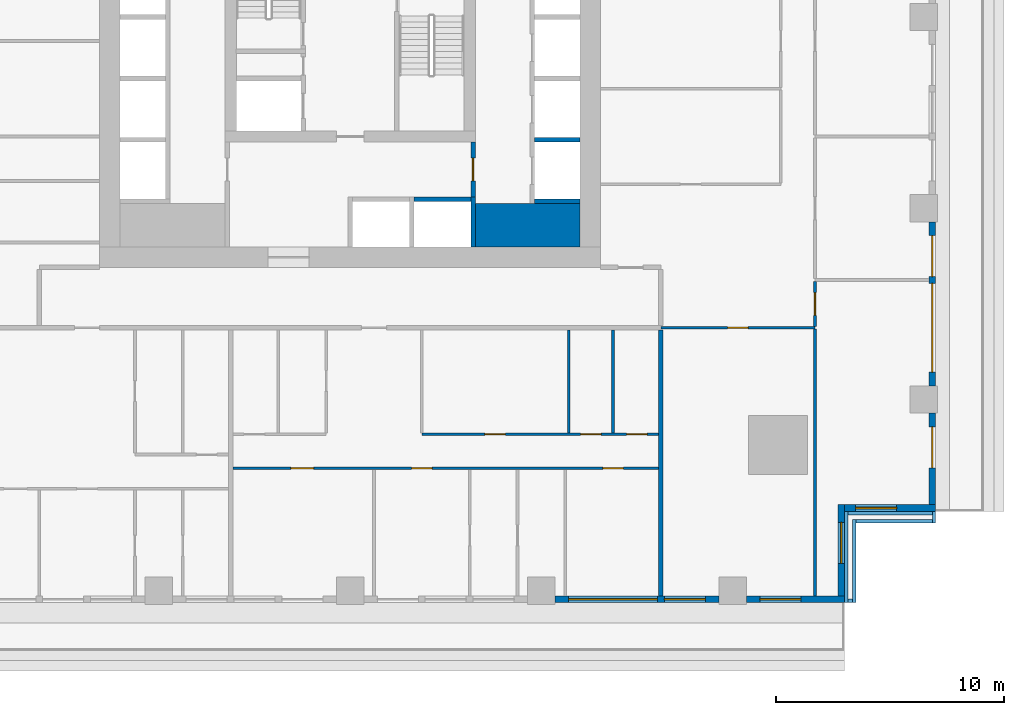
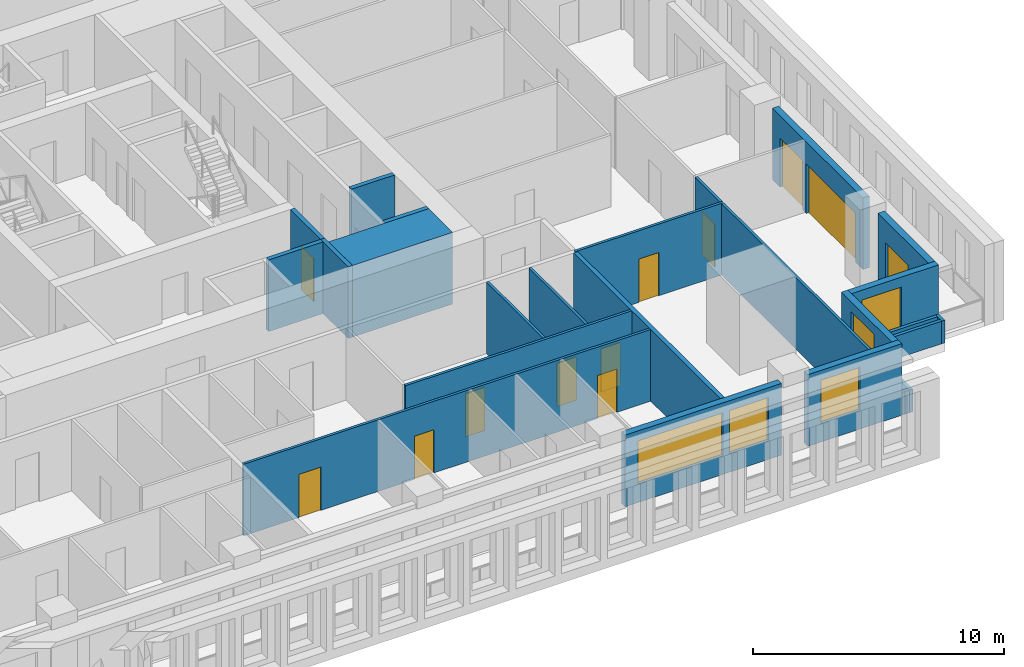
# One storey, part 5 of 16: 26 walls, 12 doors, 5 windows, 17 openings.
"""IFC4 building model written with IfcOpenShell, lengths in metres."""

from ifc_helpers import new_model, si_unit, direction, frame, frame_2d, origin, place, context, subcontext, project, spatial, rectangle, extrude, material, layer, layer_set, type_object, element, fill, save


model = new_model("IFC4")

# Units and contexts
model_context = context("Model", 3, precision=1e-05, world=origin(), true_north=direction((0.0, 1.0)))
body_context = subcontext(model_context, "Body", "Model", "MODEL_VIEW")
ifc_project = project(units=[si_unit("LENGTHUNIT", "METRE"), si_unit("AREAUNIT", "SQUARE_METRE"), si_unit("VOLUMEUNIT", "CUBIC_METRE"), si_unit("PLANEANGLEUNIT", "RADIAN"), si_unit("MASSUNIT", "GRAM", prefix="KILO")], contexts=[model_context])

# Site, building, storey
site_placement = place(None, origin())
site = spatial("IfcSite", under=ifc_project, at=site_placement, CompositionType="ELEMENT")
building_placement = place(site_placement, origin())
building = spatial("IfcBuilding", under=site, at=building_placement, Name="Khepri Terraces", CompositionType="ELEMENT")
storey_placement = place(building_placement, frame((0.0, 0.0, 133.800048828125)))
storey = spatial("IfcBuildingStorey", under=building, at=storey_placement, Name="L31", CompositionType="ELEMENT", Elevation=133.800048828125)

# Walls
ifc_material_1 = material(Name="Concrete C60/75", Category="concrete")
ifc_layer_1 = layer(ifc_material_1, 1.89990234375, Name="Concrete C60/75", Category="concrete")
ifc_layer_set_1 = layer_set([ifc_layer_1], Name="Concrete C60/75")
wall_type_1 = type_object("IfcWallType", Name="Core wall 1900 C60/75", PredefinedType="SHEAR", material=ifc_layer_set_1)
wall_1_placement = place(storey_placement, frame((5.5, -9.14990234375, 0.0), z_axis=(0.0, 0.0, 1.0), x_axis=(1.0, 0.0, 0.0)))
element("IfcWall", 1, at=wall_1_placement, inside=storey, type_object=wall_type_1, Name="Core wall PR02 L31", PredefinedType="SHEAR", context=body_context, shape_type="SweptSolid", body=[
    extrude(rectangle(XDim=4.60009765625, YDim=1.89990234375, at=frame_2d((2.300048828125, 0.0))), origin(), (0.0, 0.0, 1.0), 3.47998046875),
])
ifc_layer_2 = layer(ifc_material_1, 0.199951171875, Name="Concrete C60/75", Category="concrete")
ifc_layer_set_2 = layer_set([ifc_layer_2], Name="Concrete C60/75")
wall_type_2 = type_object("IfcWallType", Name="Core wall 200 C60/75", PredefinedType="SHEAR", material=ifc_layer_set_2)
wall_2_placement = place(storey_placement, frame((5.39990234375, -10.10009765625, 0.0), z_axis=(0.0, 0.0, 1.0), x_axis=(0.0, 1.0, 0.0)))
element("IfcWall", 2, at=wall_2_placement, inside=storey, type_object=wall_type_2, Name="Core wall SH03 L31", PredefinedType="SHEAR", context=body_context, shape_type="SweptSolid", body=[
    extrude(rectangle(XDim=2.2001953125, YDim=0.199951171875, at=frame_2d((1.10009765625, 0.0))), origin(), (0.0, 0.0, 1.0), 3.47998046875),
])
wall_3_placement = place(storey_placement, frame((8.10009765625, -8.10009765625, 0.0), z_axis=(0.0, 0.0, 1.0), x_axis=(1.0, 0.0, 0.0)))
element("IfcWall", 3, at=wall_3_placement, inside=storey, type_object=wall_type_2, Name="Core wall SH06 L31", PredefinedType="SHEAR", context=body_context, shape_type="SweptSolid", body=[
    extrude(rectangle(XDim=2.0, YDim=0.199951171875, at=frame_2d((1.0, 0.0))), origin(), (0.0, 0.0, 1.0), 3.47998046875),
])
wall_4_placement = place(storey_placement, frame((2.800048828125, -8.0, 0.0), z_axis=(0.0, 0.0, 1.0), x_axis=(1.0, 0.0, 0.0)))
element("IfcWall", 4, at=wall_4_placement, inside=storey, type_object=wall_type_2, Name="Core wall SH08 L31", PredefinedType="SHEAR", context=body_context, shape_type="SweptSolid", body=[
    extrude(rectangle(XDim=2.5, YDim=0.199951171875, at=frame_2d((1.25, 0.0))), origin(), (0.0, 0.0, 1.0), 3.47998046875),
])
wall_5_placement = place(storey_placement, frame((8.10009765625, -5.39990234375, 0.0), z_axis=(0.0, 0.0, 1.0), x_axis=(1.0, 0.0, 0.0)))
element("IfcWall", 5, at=wall_5_placement, inside=storey, type_object=wall_type_2, Name="Core wall SH11 L31", PredefinedType="SHEAR", context=body_context, shape_type="SweptSolid", body=[
    extrude(rectangle(XDim=2.0, YDim=0.199951171875, at=frame_2d((1.0, 0.0))), origin(), (0.0, 0.0, 1.0), 3.47998046875),
])

# Wall, opening, door
ifc_material_2 = material(Name="Fire-rated gypsum board partition")
ifc_layer_3 = layer(ifc_material_2, 0.199951171875, Name="Fire-rated gypsum board partition")
ifc_layer_set_3 = layer_set([ifc_layer_3], Name="Fire-rated gypsum board partition")
wall_type_3 = type_object("IfcWallType", Name="WL-CORE-PART-200", PredefinedType="PARTITIONING", material=ifc_layer_set_3)
wall_6_placement = place(storey_placement, frame((5.39990234375, -7.89990234375, 0.0), z_axis=(0.0, 0.0, 1.0), x_axis=(0.0, 1.0, 0.0)))
wall_6 = element("IfcWall", 6, at=wall_6_placement, inside=storey, type_object=wall_type_3, Name="Core partition PT02 L31", PredefinedType="PARTITIONING", context=body_context, shape_type="SweptSolid", body=[
    extrude(rectangle(XDim=2.39990234375, YDim=0.199951171875, at=frame_2d((1.199951171875, 0.0))), origin(), (0.0, 0.0, 1.0), 3.47998046875),
])
opening_1_placement = place(wall_6_placement, frame((0.699951171875, 0.0, 0.0)))
opening_1 = element("IfcOpeningElement", 7, at=opening_1_placement, cuts=wall_6, Name="Opening L31-C19", PredefinedType="OPENING", context=body_context, shape_type="SweptSolid", body=[
    extrude(rectangle(XDim=1.0, YDim=2.10009765625, at=frame_2d((0.5, 1.050048828125))), frame((0.0, 0.10986328125, 0.0), z_axis=(0.0, -1.0, 0.0), x_axis=(1.0, 0.0, 0.0)), (0.0, 0.0, 1.0), 0.219970703125),
])
ifc_material_3 = material(Name="Painted steel", Category="steel")
door_type_1 = type_object("IfcDoorType", Name="DR-CORE-LOBBY-1000", OperationType="NOTDEFINED", PredefinedType="DOOR", material=ifc_material_3)
door_1_placement = place(opening_1_placement, origin())
door_1 = element("IfcDoor", 8, at=door_1_placement, inside=storey, type_object=door_type_1, Name="Lobby door L31-C19", OperationType="SINGLE_SWING_RIGHT", OverallHeight=2.10009765625, OverallWidth=1.0, PredefinedType="DOOR", context=body_context, shape_type="SweptSolid", body=[
    extrude(rectangle(XDim=1.0, YDim=2.10009765625, at=frame_2d((0.5, 1.050048828125))), frame((0.0, 0.02490234375, 0.0), z_axis=(0.0, -1.0, 0.0), x_axis=(1.0, 0.0, 0.0)), (0.0, 0.0, 1.0), 0.050048828125),
])
fill(opening_1, door_1)

# Wall
ifc_material_4 = material(Name="Fire-rated gypsum plasterboard partition, mineral wool")
ifc_layer_4 = layer(ifc_material_4, 0.199951171875, Name="Fire-rated gypsum plasterboard partition, mineral wool")
ifc_layer_set_4 = layer_set([ifc_layer_4], Name="Fire-rated gypsum plasterboard partition, mineral wool")
wall_type_4 = type_object("IfcWallType", Name="WL-CORR-200", PredefinedType="PARTITIONING", material=ifc_layer_set_4)
wall_7_placement = place(storey_placement, frame((13.64990234375, -25.419921875, 0.0), z_axis=(0.0, 0.0, 1.0), x_axis=(0.0, 1.0, 0.0)))
element("IfcWall", 9, at=wall_7_placement, inside=storey, type_object=wall_type_4, Name="Partition P-009 L31", PredefinedType="PARTITIONING", context=body_context, shape_type="SweptSolid", body=[
    extrude(rectangle(XDim=11.669921875, YDim=0.199951171875, at=frame_2d((5.8349609375, 0.0))), origin(), (0.0, 0.0, 1.0), 3.47998046875),
])

# Wall, opening, window
ifc_material_5 = material(Name="Precast concrete C50/60 warm stone", Category="masonry")
ifc_layer_5 = layer(ifc_material_5, 0.300048828125, Name="Precast concrete C50/60 warm stone", Category="masonry")
ifc_layer_set_5 = layer_set([ifc_layer_5], Name="Precast concrete C50/60 warm stone")
wall_type_5 = type_object("IfcWallType", Name="WL-EXT-PRECAST-300", PredefinedType="STANDARD", material=ifc_layer_set_5)
wall_8_placement = place(storey_placement, frame((21.719970703125, -21.570068359375, 0.0), z_axis=(0.0, 0.0, 1.0), x_axis=(1.0, 0.0, 0.0)))
wall_8 = element("IfcWall", 10, at=wall_8_placement, inside=storey, type_object=wall_type_5, Name="External wall L31 S", PredefinedType="STANDARD", context=body_context, shape_type="SweptSolid", body=[
    extrude(rectangle(XDim=4.0, YDim=0.300048828125, at=frame_2d((2.0, 0.0))), origin(), (0.0, 0.0, 1.0), 3.47998046875),
])
opening_2_placement = place(wall_8_placement, frame((0.47998046875, 0.0, 0.89990234375)))
opening_2 = element("IfcOpeningElement", 11, at=opening_2_placement, cuts=wall_8, Name="Opening W1", PredefinedType="OPENING", context=body_context, shape_type="SweptSolid", body=[
    extrude(rectangle(XDim=1.800048828125, YDim=2.10009765625, at=frame_2d((0.89990234375, 1.050048828125))), frame((0.0, 0.16015625, 0.0), z_axis=(0.0, -1.0, 0.0), x_axis=(1.0, 0.0, 0.0)), (0.0, 0.0, 1.0), 0.320068359375),
])
ifc_material_6 = material(Name="Clear glass", Category="glass")
window_type_1 = type_object("IfcWindowType", Name="WIN-RES-1800x2100", PartitioningType="SINGLE_PANEL", PredefinedType="WINDOW", material=ifc_material_6)
window_1_placement = place(opening_2_placement, origin())
window_1 = element("IfcWindow", 12, at=window_1_placement, inside=storey, type_object=window_type_1, Name="Window L31 S", OverallHeight=2.10009765625, OverallWidth=1.800048828125, PartitioningType="SINGLE_PANEL", PredefinedType="WINDOW", context=body_context, shape_type="SweptSolid", body=[
    extrude(rectangle(XDim=1.800048828125, YDim=2.10009765625, at=frame_2d((0.89990234375, 1.050048828125))), frame((0.0, 0.030029296875, 0.0), z_axis=(0.0, -1.0, 0.0), x_axis=(1.0, 0.0, 0.0)), (0.0, 0.0, 1.0), 0.06005859375),
])
fill(opening_2, window_1)

# Wall, opening, door
wall_9_placement = place(storey_placement, frame((25.570068359375, -21.419921875, 0.0), z_axis=(0.0, 0.0, 1.0), x_axis=(0.0, 1.0, 0.0)))
wall_9 = element("IfcWall", 13, at=wall_9_placement, inside=storey, type_object=wall_type_5, Name="External wall L31 E", PredefinedType="STANDARD", context=body_context, shape_type="SweptSolid", body=[
    extrude(rectangle(XDim=4.02001953125, YDim=0.300048828125, at=frame_2d((2.010009765625, 0.0))), origin(), (0.0, 0.0, 1.0), 3.47998046875),
])
opening_3_placement = place(wall_9_placement, frame((1.6201171875, 0.0, 0.0)))
opening_3 = element("IfcOpeningElement", 14, at=opening_3_placement, cuts=wall_9, Name="Opening ED-L31-01", PredefinedType="OPENING", context=body_context, shape_type="SweptSolid", body=[
    extrude(rectangle(XDim=1.800048828125, YDim=2.39990234375, at=frame_2d((0.89990234375, 1.199951171875))), frame((0.0, 0.16015625, 0.0), z_axis=(0.0, -1.0, 0.0), x_axis=(1.0, 0.0, 0.0)), (0.0, 0.0, 1.0), 0.320068359375),
])
ifc_material_7 = material(Name="Anodised aluminium bronze glazed door", Category="aluminium")
door_type_2 = type_object("IfcDoorType", Name="DR-BAL-SLIDE-1800x2400", OperationType="NOTDEFINED", PredefinedType="DOOR", material=ifc_material_7)
door_2_placement = place(opening_3_placement, origin())
door_2 = element("IfcDoor", 15, at=door_2_placement, inside=storey, type_object=door_type_2, Name="Balcony door L31 E", OperationType="SLIDING_TO_RIGHT", OverallHeight=2.39990234375, OverallWidth=1.800048828125, PredefinedType="DOOR", context=body_context, shape_type="SweptSolid", body=[
    extrude(rectangle(XDim=1.800048828125, YDim=2.39990234375, at=frame_2d((0.89990234375, 1.199951171875))), frame((0.0, 0.02490234375, 0.0), z_axis=(0.0, -1.0, 0.0), x_axis=(1.0, 0.0, 0.0)), (0.0, 0.0, 1.0), 0.050048828125),
])
fill(opening_3, door_2)

# Wall, openings, doors
wall_10_placement = place(storey_placement, frame((25.570068359375, -16.199951171875, 0.0), z_axis=(0.0, 0.0, 1.0), x_axis=(0.0, 1.0, 0.0)))
wall_10 = element("IfcWall", 16, at=wall_10_placement, inside=storey, type_object=wall_type_5, Name="External wall L31 E", PredefinedType="STANDARD", context=body_context, shape_type="SweptSolid", body=[
    extrude(rectangle(XDim=7.199951171875, YDim=0.300048828125, at=frame_2d((3.60009765625, 0.0))), origin(), (0.0, 0.0, 1.0), 3.47998046875),
])
opening_4_placement = place(wall_10_placement, frame((0.60009765625, 0.0, 0.0)))
opening_4 = element("IfcOpeningElement", 17, at=opening_4_placement, cuts=wall_10, Name="Opening ED-L31-02", PredefinedType="OPENING", context=body_context, shape_type="SweptSolid", body=[
    extrude(rectangle(XDim=3.89990234375, YDim=2.39990234375, at=frame_2d((1.949951171875, 1.199951171875))), frame((0.0, 0.16015625, 0.0), z_axis=(0.0, -1.0, 0.0), x_axis=(1.0, 0.0, 0.0)), (0.0, 0.0, 1.0), 0.320068359375),
])
opening_5_placement = place(wall_10_placement, frame((4.800048828125, 0.0, 0.0)))
opening_5 = element("IfcOpeningElement", 18, at=opening_5_placement, cuts=wall_10, Name="Opening ED-L31-03", PredefinedType="OPENING", context=body_context, shape_type="SweptSolid", body=[
    extrude(rectangle(XDim=1.800048828125, YDim=2.39990234375, at=frame_2d((0.89990234375, 1.199951171875))), frame((0.0, 0.16015625, 0.0), z_axis=(0.0, -1.0, 0.0), x_axis=(1.0, 0.0, 0.0)), (0.0, 0.0, 1.0), 0.320068359375),
])
door_3_placement = place(opening_5_placement, origin())
door_3 = element("IfcDoor", 19, at=door_3_placement, inside=storey, type_object=door_type_2, Name="Balcony door L31 E", OperationType="SLIDING_TO_RIGHT", OverallHeight=2.39990234375, OverallWidth=1.800048828125, PredefinedType="DOOR", context=body_context, shape_type="SweptSolid", body=[
    extrude(rectangle(XDim=1.800048828125, YDim=2.39990234375, at=frame_2d((0.89990234375, 1.199951171875))), frame((0.0, 0.02490234375, 0.0), z_axis=(0.0, -1.0, 0.0), x_axis=(1.0, 0.0, 0.0)), (0.0, 0.0, 1.0), 0.050048828125),
])
fill(opening_5, door_3)
door_type_3 = type_object("IfcDoorType", Name="DR-BAL-SLIDE-3900x2400", OperationType="NOTDEFINED", PredefinedType="DOOR", material=ifc_material_7)
door_4_placement = place(opening_4_placement, origin())
door_4 = element("IfcDoor", 20, at=door_4_placement, inside=storey, type_object=door_type_3, Name="Balcony door L31 E", OperationType="SLIDING_TO_LEFT", OverallHeight=2.39990234375, OverallWidth=3.89990234375, PredefinedType="DOOR", context=body_context, shape_type="SweptSolid", body=[
    extrude(rectangle(XDim=3.89990234375, YDim=2.39990234375, at=frame_2d((1.949951171875, 1.199951171875))), frame((0.0, 0.02490234375, 0.0), z_axis=(0.0, -1.0, 0.0), x_axis=(1.0, 0.0, 0.0)), (0.0, 0.0, 1.0), 0.050048828125),
])
fill(opening_4, door_4)

# Wall, openings, windows
wall_11_placement = place(storey_placement, frame((9.0, -25.570068359375, 0.0), z_axis=(0.0, 0.0, 1.0), x_axis=(1.0, 0.0, 0.0)))
wall_11 = element("IfcWall", 21, at=wall_11_placement, inside=storey, type_object=wall_type_5, Name="External wall L31 S", PredefinedType="STANDARD", context=body_context, shape_type="SweptSolid", body=[
    extrude(rectangle(XDim=7.199951171875, YDim=0.300048828125, at=frame_2d((3.60009765625, 0.0))), origin(), (0.0, 0.0, 1.0), 3.47998046875),
])
opening_6_placement = place(wall_11_placement, frame((0.60009765625, 0.0, 0.89990234375)))
opening_6 = element("IfcOpeningElement", 22, at=opening_6_placement, cuts=wall_11, Name="Opening W2", PredefinedType="OPENING", context=body_context, shape_type="SweptSolid", body=[
    extrude(rectangle(XDim=3.89990234375, YDim=2.10009765625, at=frame_2d((1.949951171875, 1.050048828125))), frame((0.0, 0.16015625, 0.0), z_axis=(0.0, -1.0, 0.0), x_axis=(1.0, 0.0, 0.0)), (0.0, 0.0, 1.0), 0.320068359375),
])
opening_7_placement = place(wall_11_placement, frame((4.800048828125, 0.0, 0.89990234375)))
opening_7 = element("IfcOpeningElement", 23, at=opening_7_placement, cuts=wall_11, Name="Opening W1", PredefinedType="OPENING", context=body_context, shape_type="SweptSolid", body=[
    extrude(rectangle(XDim=1.800048828125, YDim=2.10009765625, at=frame_2d((0.89990234375, 1.050048828125))), frame((0.0, 0.16015625, 0.0), z_axis=(0.0, -1.0, 0.0), x_axis=(1.0, 0.0, 0.0)), (0.0, 0.0, 1.0), 0.320068359375),
])
window_2_placement = place(opening_7_placement, origin())
window_2 = element("IfcWindow", 24, at=window_2_placement, inside=storey, type_object=window_type_1, Name="Window L31 S", OverallHeight=2.10009765625, OverallWidth=1.800048828125, PartitioningType="SINGLE_PANEL", PredefinedType="WINDOW", context=body_context, shape_type="SweptSolid", body=[
    extrude(rectangle(XDim=1.800048828125, YDim=2.10009765625, at=frame_2d((0.89990234375, 1.050048828125))), frame((0.0, 0.030029296875, 0.0), z_axis=(0.0, -1.0, 0.0), x_axis=(1.0, 0.0, 0.0)), (0.0, 0.0, 1.0), 0.06005859375),
])
fill(opening_7, window_2)
window_type_2 = type_object("IfcWindowType", Name="WIN-RES-3900x2100", PartitioningType="SINGLE_PANEL", PredefinedType="WINDOW", material=ifc_material_6)
window_3_placement = place(opening_6_placement, origin())
window_3 = element("IfcWindow", 25, at=window_3_placement, inside=storey, type_object=window_type_2, Name="Window L31 S", OverallHeight=2.10009765625, OverallWidth=3.89990234375, PartitioningType="SINGLE_PANEL", PredefinedType="WINDOW", context=body_context, shape_type="SweptSolid", body=[
    extrude(rectangle(XDim=3.89990234375, YDim=2.10009765625, at=frame_2d((1.949951171875, 1.050048828125))), frame((0.0, 0.030029296875, 0.0), z_axis=(0.0, -1.0, 0.0), x_axis=(1.0, 0.0, 0.0)), (0.0, 0.0, 1.0), 0.06005859375),
])
fill(opening_6, window_3)

# Wall, opening, window
wall_12_placement = place(storey_placement, frame((17.39990234375, -25.570068359375, 0.0), z_axis=(0.0, 0.0, 1.0), x_axis=(1.0, 0.0, 0.0)))
wall_12 = element("IfcWall", 26, at=wall_12_placement, inside=storey, type_object=wall_type_5, Name="External wall L31 S", PredefinedType="STANDARD", context=body_context, shape_type="SweptSolid", body=[
    extrude(rectangle(XDim=4.320068359375, YDim=0.300048828125, at=frame_2d((2.16015625, 0.0))), origin(), (0.0, 0.0, 1.0), 3.47998046875),
])
opening_8_placement = place(wall_12_placement, frame((0.60009765625, 0.0, 0.89990234375)))
opening_8 = element("IfcOpeningElement", 27, at=opening_8_placement, cuts=wall_12, Name="Opening W1", PredefinedType="OPENING", context=body_context, shape_type="SweptSolid", body=[
    extrude(rectangle(XDim=1.800048828125, YDim=2.10009765625, at=frame_2d((0.89990234375, 1.050048828125))), frame((0.0, 0.16015625, 0.0), z_axis=(0.0, -1.0, 0.0), x_axis=(1.0, 0.0, 0.0)), (0.0, 0.0, 1.0), 0.320068359375),
])
window_4_placement = place(opening_8_placement, origin())
window_4 = element("IfcWindow", 28, at=window_4_placement, inside=storey, type_object=window_type_1, Name="Window L31 S", OverallHeight=2.10009765625, OverallWidth=1.800048828125, PartitioningType="SINGLE_PANEL", PredefinedType="WINDOW", context=body_context, shape_type="SweptSolid", body=[
    extrude(rectangle(XDim=1.800048828125, YDim=2.10009765625, at=frame_2d((0.89990234375, 1.050048828125))), frame((0.0, 0.030029296875, 0.0), z_axis=(0.0, -1.0, 0.0), x_axis=(1.0, 0.0, 0.0)), (0.0, 0.0, 1.0), 0.06005859375),
])
fill(opening_8, window_4)

wall_13_placement = place(storey_placement, frame((21.570068359375, -25.419921875, 0.0), z_axis=(0.0, 0.0, 1.0), x_axis=(0.0, 1.0, 0.0)))
wall_13 = element("IfcWall", 29, at=wall_13_placement, inside=storey, type_object=wall_type_5, Name="External wall L31 E", PredefinedType="STANDARD", context=body_context, shape_type="SweptSolid", body=[
    extrude(rectangle(XDim=4.0, YDim=0.300048828125, at=frame_2d((2.0, 0.0))), origin(), (0.0, 0.0, 1.0), 3.47998046875),
])
opening_9_placement = place(wall_13_placement, frame((1.419921875, 0.0, 0.89990234375)))
opening_9 = element("IfcOpeningElement", 30, at=opening_9_placement, cuts=wall_13, Name="Opening W1", PredefinedType="OPENING", context=body_context, shape_type="SweptSolid", body=[
    extrude(rectangle(XDim=1.800048828125, YDim=2.10009765625, at=frame_2d((0.89990234375, 1.050048828125))), frame((0.0, 0.16015625, 0.0), z_axis=(0.0, -1.0, 0.0), x_axis=(1.0, 0.0, 0.0)), (0.0, 0.0, 1.0), 0.320068359375),
])
window_5_placement = place(opening_9_placement, origin())
window_5 = element("IfcWindow", 31, at=window_5_placement, inside=storey, type_object=window_type_1, Name="Window L31 E", OverallHeight=2.10009765625, OverallWidth=1.800048828125, PartitioningType="SINGLE_PANEL", PredefinedType="WINDOW", context=body_context, shape_type="SweptSolid", body=[
    extrude(rectangle(XDim=1.800048828125, YDim=2.10009765625, at=frame_2d((0.89990234375, 1.050048828125))), frame((0.0, 0.030029296875, 0.0), z_axis=(0.0, -1.0, 0.0), x_axis=(1.0, 0.0, 0.0)), (0.0, 0.0, 1.0), 0.06005859375),
])
fill(opening_9, window_5)

# Walls
ifc_layer_6 = layer(ifc_material_5, 0.14990234375, Name="Precast concrete C50/60 warm stone", Category="masonry")
ifc_layer_set_6 = layer_set([ifc_layer_6], Name="Precast concrete C50/60 warm stone")
wall_type_6 = type_object("IfcWallType", Name="WL-PARAPET-150", PredefinedType="PARAPET", material=ifc_layer_set_6)
wall_14_placement = place(storey_placement, frame((21.794921875, -25.719970703125, 0.0), z_axis=(0.0, 0.0, 1.0), x_axis=(0.0, 1.0, 0.0)))
element("IfcWall", 32, at=wall_14_placement, inside=storey, type_object=wall_type_6, Name="Ledge parapet L31", PredefinedType="PARAPET", context=body_context, shape_type="SweptSolid", body=[
    extrude(rectangle(XDim=4.0, YDim=0.14990234375, at=frame_2d((2.0, 0.0))), origin(), (0.0, 0.0, 1.0), 1.099853515625),
])
wall_15_placement = place(storey_placement, frame((21.8701171875, -25.64501953125, 0.0), z_axis=(0.0, 0.0, 1.0), x_axis=(1.0, 0.0, 0.0)))
element("IfcWall", 33, at=wall_15_placement, inside=storey, type_object=wall_type_6, Name="Ledge parapet L31", PredefinedType="PARAPET", context=body_context, shape_type="SweptSolid", body=[
    extrude(rectangle(XDim=0.199951171875, YDim=0.14990234375, at=frame_2d((0.10009765625, 0.0))), origin(), (0.0, 0.0, 1.0), 1.099853515625),
])
wall_16_placement = place(storey_placement, frame((21.8701171875, -21.794921875, 0.0), z_axis=(0.0, 0.0, 1.0), x_axis=(1.0, 0.0, 0.0)))
element("IfcWall", 34, at=wall_16_placement, inside=storey, type_object=wall_type_6, Name="Ledge parapet L31", PredefinedType="PARAPET", context=body_context, shape_type="SweptSolid", body=[
    extrude(rectangle(XDim=3.699951171875, YDim=0.14990234375, at=frame_2d((1.85009765625, 0.0))), origin(), (0.0, 0.0, 1.0), 1.099853515625),
])
wall_17_placement = place(storey_placement, frame((22.14501953125, -25.719970703125, 0.0), z_axis=(0.0, 0.0, 1.0), x_axis=(0.0, 1.0, 0.0)))
element("IfcWall", 35, at=wall_17_placement, inside=storey, type_object=wall_type_6, Name="Ledge parapet L31", PredefinedType="PARAPET", context=body_context, shape_type="SweptSolid", body=[
    extrude(rectangle(XDim=3.64990234375, YDim=0.14990234375, at=frame_2d((1.824951171875, 0.0))), origin(), (0.0, 0.0, 1.0), 1.099853515625),
])
wall_18_placement = place(storey_placement, frame((22.219970703125, -22.14501953125, 0.0), z_axis=(0.0, 0.0, 1.0), x_axis=(1.0, 0.0, 0.0)))
element("IfcWall", 36, at=wall_18_placement, inside=storey, type_object=wall_type_6, Name="Ledge parapet L31", PredefinedType="PARAPET", context=body_context, shape_type="SweptSolid", body=[
    extrude(rectangle(XDim=3.35009765625, YDim=0.14990234375, at=frame_2d((1.675048828125, 0.0))), origin(), (0.0, 0.0, 1.0), 1.099853515625),
])
wall_19_placement = place(storey_placement, frame((25.64501953125, -22.219970703125, 0.0), z_axis=(0.0, 0.0, 1.0), x_axis=(0.0, 1.0, 0.0)))
element("IfcWall", 37, at=wall_19_placement, inside=storey, type_object=wall_type_6, Name="Ledge parapet L31", PredefinedType="PARAPET", context=body_context, shape_type="SweptSolid", body=[
    extrude(rectangle(XDim=0.5, YDim=0.14990234375, at=frame_2d((0.25, 0.0))), origin(), (0.0, 0.0, 1.0), 1.099853515625),
])
ifc_material_8 = material(Name="Gypsum plasterboard partition")
ifc_layer_7 = layer(ifc_material_8, 0.1201171875, Name="Gypsum plasterboard partition")
ifc_layer_set_7 = layer_set([ifc_layer_7], Name="Gypsum plasterboard partition")
wall_type_7 = type_object("IfcWallType", Name="WL-PART-120", PredefinedType="PARTITIONING", material=ifc_layer_set_7)
wall_20_placement = place(storey_placement, frame((20.419921875, -25.419921875, 0.0), z_axis=(0.0, 0.0, 1.0), x_axis=(0.0, 1.0, 0.0)))
element("IfcWall", 38, at=wall_20_placement, inside=storey, type_object=wall_type_7, Name="Partition P-010 L31", PredefinedType="PARTITIONING", context=body_context, shape_type="SweptSolid", body=[
    extrude(rectangle(XDim=11.7099609375, YDim=0.1201171875, at=frame_2d((5.85498046875, 0.0))), origin(), (0.0, 0.0, 1.0), 3.47998046875),
])

# Wall, openings, doors
wall_21_placement = place(storey_placement, frame((-5.14990234375, -19.820068359375, 0.0), z_axis=(0.0, 0.0, 1.0), x_axis=(1.0, 0.0, 0.0)))
wall_21 = element("IfcWall", 39, at=wall_21_placement, inside=storey, type_object=wall_type_7, Name="Partition P-013 L31", PredefinedType="PARTITIONING", context=body_context, shape_type="SweptSolid", body=[
    extrude(rectangle(XDim=18.699951171875, YDim=0.1201171875, at=frame_2d((9.35009765625, 0.0))), origin(), (0.0, 0.0, 1.0), 3.47998046875),
])
opening_10_placement = place(wall_21_placement, frame((2.550048828125, 0.0, 0.0)))
opening_10 = element("IfcOpeningElement", 40, at=opening_10_placement, cuts=wall_21, Name="Opening D2", PredefinedType="OPENING", context=body_context, shape_type="SweptSolid", body=[
    extrude(rectangle(XDim=1.0, YDim=2.10009765625, at=frame_2d((0.5, 1.050048828125))), frame((0.0, 0.070068359375, 0.0), z_axis=(0.0, -1.0, 0.0), x_axis=(1.0, 0.0, 0.0)), (0.0, 0.0, 1.0), 0.14013671875),
])
opening_11_placement = place(wall_21_placement, frame((7.85009765625, 0.0, 0.0)))
opening_11 = element("IfcOpeningElement", 41, at=opening_11_placement, cuts=wall_21, Name="Opening D3", PredefinedType="OPENING", context=body_context, shape_type="SweptSolid", body=[
    extrude(rectangle(XDim=0.89990234375, YDim=2.10009765625, at=frame_2d((0.449951171875, 1.050048828125))), frame((0.0, 0.070068359375, 0.0), z_axis=(0.0, -1.0, 0.0), x_axis=(1.0, 0.0, 0.0)), (0.0, 0.0, 1.0), 0.14013671875),
])
opening_12_placement = place(wall_21_placement, frame((16.25, 0.0, 0.0)))
opening_12 = element("IfcOpeningElement", 42, at=opening_12_placement, cuts=wall_21, Name="Opening D3", PredefinedType="OPENING", context=body_context, shape_type="SweptSolid", body=[
    extrude(rectangle(XDim=0.89990234375, YDim=2.10009765625, at=frame_2d((0.449951171875, 1.050048828125))), frame((0.0, 0.070068359375, 0.0), z_axis=(0.0, -1.0, 0.0), x_axis=(1.0, 0.0, 0.0)), (0.0, 0.0, 1.0), 0.14013671875),
])
ifc_material_9 = material(Name="Timber door leaf, living room door", Category="wood")
door_type_4 = type_object("IfcDoorType", Name="DR-INT-1000", OperationType="NOTDEFINED", PredefinedType="DOOR", material=ifc_material_9)
door_5_placement = place(opening_10_placement, frame((1.0, 0.0, 0.0), z_axis=(0.0, 0.0, 1.0), x_axis=(-1.0, 0.0, 0.0)))
door_5 = element("IfcDoor", 43, at=door_5_placement, inside=storey, type_object=door_type_4, Name="Door Living Room", OperationType="SINGLE_SWING_RIGHT", OverallHeight=2.10009765625, OverallWidth=1.0, PredefinedType="DOOR", context=body_context, shape_type="SweptSolid", body=[
    extrude(rectangle(XDim=1.0, YDim=2.10009765625, at=frame_2d((0.5, 1.050048828125))), frame((0.0, 0.02490234375, 0.0), z_axis=(0.0, -1.0, 0.0), x_axis=(1.0, 0.0, 0.0)), (0.0, 0.0, 1.0), 0.050048828125),
])
fill(opening_10, door_5)
ifc_material_10 = material(Name="Timber door leaf", Category="wood")
door_type_5 = type_object("IfcDoorType", Name="DR-INT-900", OperationType="NOTDEFINED", PredefinedType="DOOR", material=ifc_material_10)
door_6_placement = place(opening_11_placement, frame((0.89990234375, 0.0, 0.0), z_axis=(0.0, 0.0, 1.0), x_axis=(-1.0, 0.0, 0.0)))
door_6 = element("IfcDoor", 44, at=door_6_placement, inside=storey, type_object=door_type_5, Name="Door Master Bedroom", OperationType="SINGLE_SWING_RIGHT", OverallHeight=2.10009765625, OverallWidth=0.89990234375, PredefinedType="DOOR", context=body_context, shape_type="SweptSolid", body=[
    extrude(rectangle(XDim=0.89990234375, YDim=2.10009765625, at=frame_2d((0.449951171875, 1.050048828125))), frame((0.0, 0.02490234375, 0.0), z_axis=(0.0, -1.0, 0.0), x_axis=(1.0, 0.0, 0.0)), (0.0, 0.0, 1.0), 0.050048828125),
])
fill(opening_11, door_6)
door_7_placement = place(opening_12_placement, frame((0.89990234375, 0.0, 0.0), z_axis=(0.0, 0.0, 1.0), x_axis=(-1.0, 0.0, 0.0)))
door_7 = element("IfcDoor", 45, at=door_7_placement, inside=storey, type_object=door_type_5, Name="Door Study", OperationType="SINGLE_SWING_LEFT", OverallHeight=2.10009765625, OverallWidth=0.89990234375, PredefinedType="DOOR", context=body_context, shape_type="SweptSolid", body=[
    extrude(rectangle(XDim=0.89990234375, YDim=2.10009765625, at=frame_2d((0.449951171875, 1.050048828125))), frame((0.0, 0.02490234375, 0.0), z_axis=(0.0, -1.0, 0.0), x_axis=(1.0, 0.0, 0.0)), (0.0, 0.0, 1.0), 0.050048828125),
])
fill(opening_12, door_7)

wall_22_placement = place(storey_placement, frame((3.14990234375, -18.320068359375, 0.0), z_axis=(0.0, 0.0, 1.0), x_axis=(1.0, 0.0, 0.0)))
wall_22 = element("IfcWall", 46, at=wall_22_placement, inside=storey, type_object=wall_type_7, Name="Partition P-018 L31", PredefinedType="PARTITIONING", context=body_context, shape_type="SweptSolid", body=[
    extrude(rectangle(XDim=10.400146484375, YDim=0.1201171875, at=frame_2d((5.2001953125, 0.0))), origin(), (0.0, 0.0, 1.0), 3.47998046875),
])
opening_13_placement = place(wall_22_placement, frame((2.77490234375, 0.0, 0.0)))
opening_13 = element("IfcOpeningElement", 47, at=opening_13_placement, cuts=wall_22, Name="Opening D3", PredefinedType="OPENING", context=body_context, shape_type="SweptSolid", body=[
    extrude(rectangle(XDim=0.89990234375, YDim=2.10009765625, at=frame_2d((0.449951171875, 1.050048828125))), frame((0.0, 0.070068359375, 0.0), z_axis=(0.0, -1.0, 0.0), x_axis=(1.0, 0.0, 0.0)), (0.0, 0.0, 1.0), 0.14013671875),
])
opening_14_placement = place(wall_22_placement, frame((6.97509765625, 0.0, 0.0)))
opening_14 = element("IfcOpeningElement", 48, at=opening_14_placement, cuts=wall_22, Name="Opening D3", PredefinedType="OPENING", context=body_context, shape_type="SweptSolid", body=[
    extrude(rectangle(XDim=0.89990234375, YDim=2.10009765625, at=frame_2d((0.449951171875, 1.050048828125))), frame((0.0, 0.070068359375, 0.0), z_axis=(0.0, -1.0, 0.0), x_axis=(1.0, 0.0, 0.0)), (0.0, 0.0, 1.0), 0.14013671875),
])
opening_15_placement = place(wall_22_placement, frame((9.0, 0.0, 0.0)))
opening_15 = element("IfcOpeningElement", 49, at=opening_15_placement, cuts=wall_22, Name="Opening D3", PredefinedType="OPENING", context=body_context, shape_type="SweptSolid", body=[
    extrude(rectangle(XDim=0.89990234375, YDim=2.10009765625, at=frame_2d((0.449951171875, 1.050048828125))), frame((0.0, 0.070068359375, 0.0), z_axis=(0.0, -1.0, 0.0), x_axis=(1.0, 0.0, 0.0)), (0.0, 0.0, 1.0), 0.14013671875),
])
door_8_placement = place(opening_13_placement, origin())
door_8 = element("IfcDoor", 50, at=door_8_placement, inside=storey, type_object=door_type_5, Name="Door Kitchen", OperationType="SINGLE_SWING_LEFT", OverallHeight=2.10009765625, OverallWidth=0.89990234375, PredefinedType="DOOR", context=body_context, shape_type="SweptSolid", body=[
    extrude(rectangle(XDim=0.89990234375, YDim=2.10009765625, at=frame_2d((0.449951171875, 1.050048828125))), frame((0.0, 0.02490234375, 0.0), z_axis=(0.0, -1.0, 0.0), x_axis=(1.0, 0.0, 0.0)), (0.0, 0.0, 1.0), 0.050048828125),
])
fill(opening_13, door_8)
door_9_placement = place(opening_14_placement, origin())
door_9 = element("IfcDoor", 51, at=door_9_placement, inside=storey, type_object=door_type_5, Name="Door Service Store", OperationType="SINGLE_SWING_RIGHT", OverallHeight=2.10009765625, OverallWidth=0.89990234375, PredefinedType="DOOR", context=body_context, shape_type="SweptSolid", body=[
    extrude(rectangle(XDim=0.89990234375, YDim=2.10009765625, at=frame_2d((0.449951171875, 1.050048828125))), frame((0.0, 0.02490234375, 0.0), z_axis=(0.0, -1.0, 0.0), x_axis=(1.0, 0.0, 0.0)), (0.0, 0.0, 1.0), 0.050048828125),
])
fill(opening_14, door_9)
door_10_placement = place(opening_15_placement, origin())
door_10 = element("IfcDoor", 52, at=door_10_placement, inside=storey, type_object=door_type_5, Name="Door Utility Room", OperationType="SINGLE_SWING_RIGHT", OverallHeight=2.10009765625, OverallWidth=0.89990234375, PredefinedType="DOOR", context=body_context, shape_type="SweptSolid", body=[
    extrude(rectangle(XDim=0.89990234375, YDim=2.10009765625, at=frame_2d((0.449951171875, 1.050048828125))), frame((0.0, 0.02490234375, 0.0), z_axis=(0.0, -1.0, 0.0), x_axis=(1.0, 0.0, 0.0)), (0.0, 0.0, 1.0), 0.050048828125),
])
fill(opening_15, door_10)

# Walls
for number, where, z_axis, x_axis, name in (
    (53, (9.60009765625, -18.260009765625, 0.0), (0.0, 0.0, 1.0), (0.0, 1.0, 0.0), "Partition P-022 L31"),
    (54, (11.550048828125, -18.260009765625, 0.0), (0.0, 0.0, 1.0), (0.0, 1.0, 0.0), "Partition P-023 L31"),
):
    element("IfcWall", number, at=place(storey_placement, frame(where, z_axis=z_axis, x_axis=x_axis)), inside=storey, type_object=wall_type_7, Name=name, PredefinedType="PARTITIONING", context=body_context, shape_type="SweptSolid", body=[
        extrude(rectangle(XDim=4.510009765625, YDim=0.1201171875, at=frame_2d((2.2548828125, 0.0))), origin(), (0.0, 0.0, 1.0), 3.47998046875),
    ])

# Wall, opening, door
wall_23_placement = place(storey_placement, frame((13.64990234375, -13.64990234375, 0.0), z_axis=(0.0, 0.0, 1.0), x_axis=(1.0, 0.0, 0.0)))
wall_23 = element("IfcWall", 55, at=wall_23_placement, inside=storey, type_object=wall_type_7, Name="Partition P-025 L31", PredefinedType="PARTITIONING", context=body_context, shape_type="SweptSolid", body=[
    extrude(rectangle(XDim=6.77001953125, YDim=0.1201171875, at=frame_2d((3.385009765625, 0.0))), origin(), (0.0, 0.0, 1.0), 3.47998046875),
])
opening_16_placement = place(wall_23_placement, frame((2.93505859375, 0.0, 0.0)))
opening_16 = element("IfcOpeningElement", 56, at=opening_16_placement, cuts=wall_23, Name="Opening D3", PredefinedType="OPENING", context=body_context, shape_type="SweptSolid", body=[
    extrude(rectangle(XDim=0.89990234375, YDim=2.10009765625, at=frame_2d((0.449951171875, 1.050048828125))), frame((0.0, 0.070068359375, 0.0), z_axis=(0.0, -1.0, 0.0), x_axis=(1.0, 0.0, 0.0)), (0.0, 0.0, 1.0), 0.14013671875),
])
door_11_placement = place(opening_16_placement, frame((0.89990234375, 0.0, 0.0), z_axis=(0.0, 0.0, 1.0), x_axis=(-1.0, 0.0, 0.0)))
door_11 = element("IfcDoor", 57, at=door_11_placement, inside=storey, type_object=door_type_5, Name="Door Home Gym", OperationType="SINGLE_SWING_RIGHT", OverallHeight=2.10009765625, OverallWidth=0.89990234375, PredefinedType="DOOR", context=body_context, shape_type="SweptSolid", body=[
    extrude(rectangle(XDim=0.89990234375, YDim=2.10009765625, at=frame_2d((0.449951171875, 1.050048828125))), frame((0.0, 0.02490234375, 0.0), z_axis=(0.0, -1.0, 0.0), x_axis=(1.0, 0.0, 0.0)), (0.0, 0.0, 1.0), 0.050048828125),
])
fill(opening_16, door_11)

wall_24_placement = place(storey_placement, frame((20.419921875, -13.590087890625, 0.0), z_axis=(0.0, 0.0, 1.0), x_axis=(0.0, 1.0, 0.0)))
wall_24 = element("IfcWall", 58, at=wall_24_placement, inside=storey, type_object=wall_type_7, Name="Partition P-026 L31", PredefinedType="PARTITIONING", context=body_context, shape_type="SweptSolid", body=[
    extrude(rectangle(XDim=1.97998046875, YDim=0.1201171875, at=frame_2d((0.989990234375, 0.0))), origin(), (0.0, 0.0, 1.0), 3.47998046875),
])
opening_17_placement = place(wall_24_placement, frame((0.489990234375, 0.0, 0.0)))
opening_17 = element("IfcOpeningElement", 59, at=opening_17_placement, cuts=wall_24, Name="Opening D2", PredefinedType="OPENING", context=body_context, shape_type="SweptSolid", body=[
    extrude(rectangle(XDim=1.0, YDim=2.10009765625, at=frame_2d((0.5, 1.050048828125))), frame((0.0, 0.070068359375, 0.0), z_axis=(0.0, -1.0, 0.0), x_axis=(1.0, 0.0, 0.0)), (0.0, 0.0, 1.0), 0.14013671875),
])
door_12_placement = place(opening_17_placement, frame((1.0, 0.0, 0.0), z_axis=(0.0, 0.0, 1.0), x_axis=(-1.0, 0.0, 0.0)))
door_12 = element("IfcDoor", 60, at=door_12_placement, inside=storey, type_object=door_type_4, Name="Door Living Room", OperationType="SINGLE_SWING_RIGHT", OverallHeight=2.10009765625, OverallWidth=1.0, PredefinedType="DOOR", context=body_context, shape_type="SweptSolid", body=[
    extrude(rectangle(XDim=1.0, YDim=2.10009765625, at=frame_2d((0.5, 1.050048828125))), frame((0.0, 0.02490234375, 0.0), z_axis=(0.0, -1.0, 0.0), x_axis=(1.0, 0.0, 0.0)), (0.0, 0.0, 1.0), 0.050048828125),
])
fill(opening_17, door_12)

save(model, "model.ifc")
